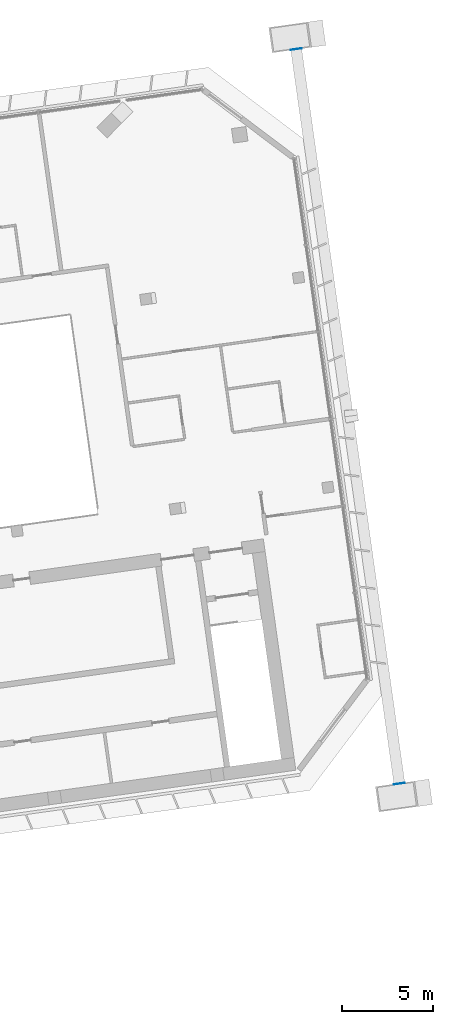
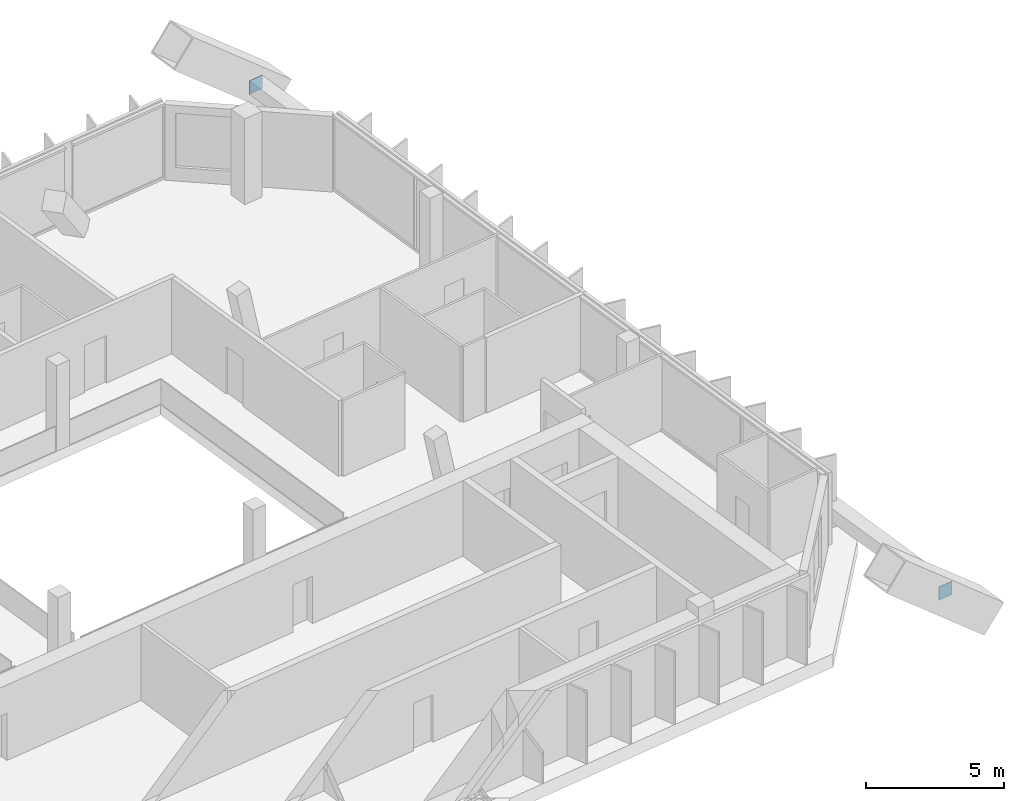
# One storey, part 30 of 32: 2 discrete accessories.
"""IFC4 building model written with IfcOpenShell, lengths in metres."""

from ifc_helpers import new_model, si_unit, direction, frame, origin, origin_2d, place, context, subcontext, project, spatial, rectangle, extrude, material, material_profile, profile_set, type_object, element, save


model = new_model("IFC4")

# Units and contexts
model_context = context("Model", 3, precision=1e-05, world=origin(), true_north=direction((0.0, 1.0)))
body_context = subcontext(model_context, "Body", "Model", "MODEL_VIEW")
ifc_project = project(units=[si_unit("LENGTHUNIT", "METRE"), si_unit("AREAUNIT", "SQUARE_METRE"), si_unit("VOLUMEUNIT", "CUBIC_METRE"), si_unit("PLANEANGLEUNIT", "RADIAN"), si_unit("MASSUNIT", "GRAM", prefix="KILO")], contexts=[model_context])

# Site, building, storey
site_placement = place(None, origin())
site = spatial("IfcSite", under=ifc_project, at=site_placement, CompositionType="ELEMENT")
building_placement = place(site_placement, origin())
building = spatial("IfcBuilding", under=site, at=building_placement, Name="Mirante Cascada Hotel Towers", CompositionType="ELEMENT")
storey_placement = place(building_placement, frame((0.0, 0.0, 176.4)))
storey = spatial("IfcBuildingStorey", under=building, at=storey_placement, Name="L41", CompositionType="ELEMENT", Elevation=176.4)

# Discrete accessories
ifc_material = material(Name="Steel ASTM A572 Gr 50", Category="steel")
ifc_material_profile = material_profile(ifc_material, rectangle(XDim=0.6, YDim=0.6, at=origin_2d()), Name="Connection plate 600x600x25 ASTM A572 Gr 50")
ifc_profile_set = profile_set([ifc_material_profile], Name="Steel ASTM A572 Gr 50")
discrete_accessory_type = type_object("IfcDiscreteAccessoryType", Name="Connection plate 600x600x25 ASTM A572 Gr 50", PredefinedType="BRACKET", material=ifc_profile_set)
for number, where, z_axis, x_axis, name in (
    (1, (96.0245, -13.2532, 1.0), (-0.1397442, 0.9901876, 0.0), (-0.9901876, -0.1397442, 0.0), "Connection plate NCH"),
    (2, (90.3685, 26.9913, 1.0), (-0.1397442, 0.9901876, 0.0), (-0.9901876, -0.1397442, 0.0), "Connection plate NCH"),
):
    element("IfcDiscreteAccessory", number, at=place(storey_placement, frame(where, z_axis=z_axis, x_axis=x_axis)), inside=storey, type_object=discrete_accessory_type, Name=name, PredefinedType="BRACKET", context=body_context, shape_type="SweptSolid", body=[
        extrude(rectangle(XDim=0.6, YDim=0.6, at=origin_2d()), origin(), (0.0, 0.0, 1.0), 0.025),
    ])

save(model, "model.ifc")
